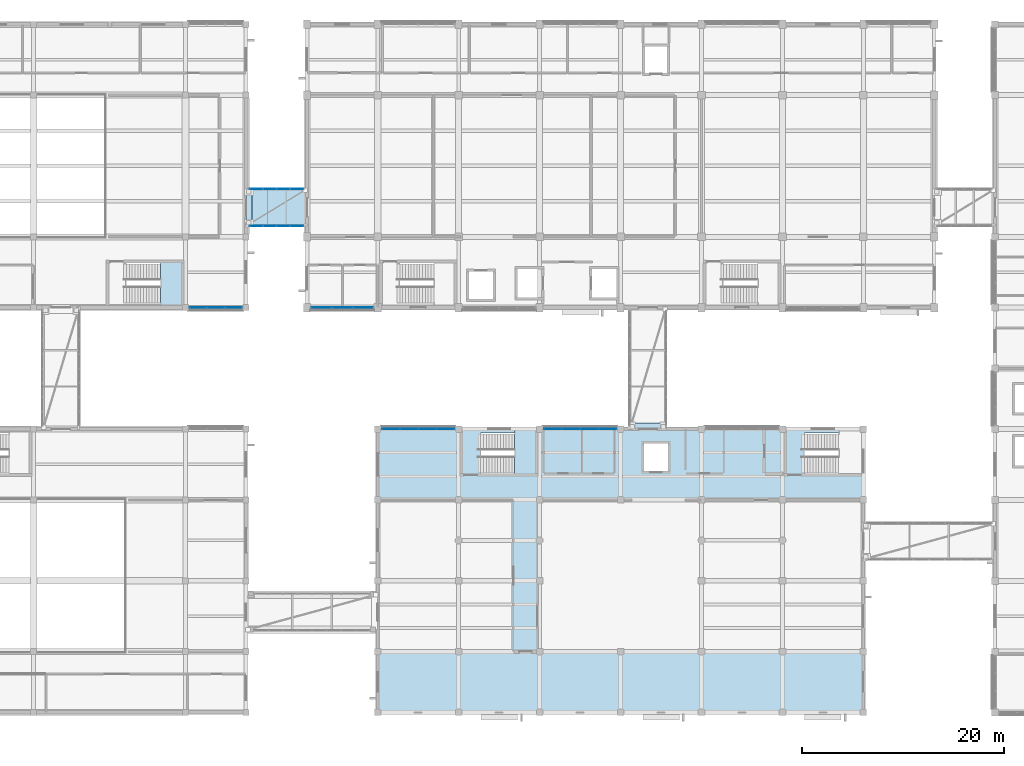
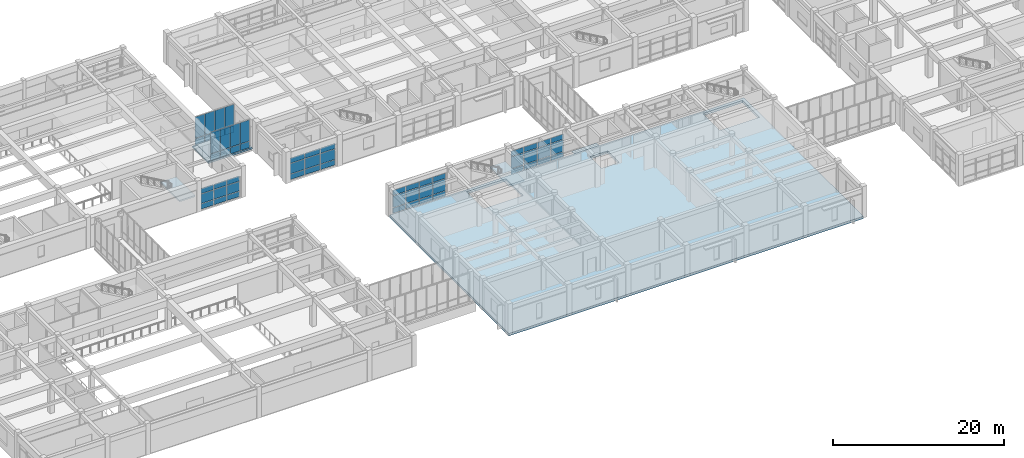
# One storey, part 39 of 72: 60 plates, 4 slabs, 8 elements without a shape of their own.
"""IFC4 building model written with IfcOpenShell, lengths in metres."""

from ifc_helpers import new_model, si_unit, direction, frame, origin, origin_2d, place, context, subcontext, project, spatial, polyline, rectangle, outline, extrude, material, layer, layer_set, type_object, element, aggregate, save


model = new_model("IFC4")

# Units and contexts
model_context = context("Model", 3, precision=1e-05, world=origin(), true_north=direction((0.0, 1.0)))
body_context = subcontext(model_context, "Body", "Model", "MODEL_VIEW")
ifc_project = project(units=[si_unit("LENGTHUNIT", "METRE"), si_unit("AREAUNIT", "SQUARE_METRE"), si_unit("VOLUMEUNIT", "CUBIC_METRE"), si_unit("PLANEANGLEUNIT", "RADIAN"), si_unit("MASSUNIT", "GRAM", prefix="KILO")], contexts=[model_context])

# Site, building, storey
site_placement = place(None, origin())
site = spatial("IfcSite", under=ifc_project, at=site_placement, CompositionType="ELEMENT")
building_placement = place(site_placement, origin())
building = spatial("IfcBuilding", under=site, at=building_placement, Name="Naurynzar Civic Courthouse", CompositionType="ELEMENT")
storey_placement = place(building_placement, frame((0.0, 0.0, 9.89990234375)))
storey = spatial("IfcBuildingStorey", under=building, at=storey_placement, Name="L03", CompositionType="ELEMENT", Elevation=9.89990234375)

# Curtain wall, plates
ifc_material_1 = material(Name="Aluminium 6063-T6", Category="aluminium")
ifc_layer_1 = layer(ifc_material_1, 0.14990234375)
ifc_layer_set_1 = layer_set([ifc_layer_1], Name="CW-BRIDGE-1500")
curtain_wall_type_1 = type_object("IfcCurtainWallType", Name="CW-BRIDGE-1500", PredefinedType="USERDEFINED", material=ifc_layer_set_1)
curtain_wall_1_placement = place(storey_placement, origin())
curtain_wall_1 = element("IfcCurtainWall", 1, at=curtain_wall_1_placement, inside=storey, type_object=curtain_wall_type_1, Name="BR-N1 glazed bridge screen L03.1", ObjectType="GLAZED BRIDGE SCREEN", PredefinedType="USERDEFINED")
ifc_material_2 = material(Name="Tempered Laminated Low-E Glass", Category="glass")
ifc_layer_2 = layer(ifc_material_2, 0.031982421875)
ifc_layer_set_2 = layer_set([ifc_layer_2], Name="CWP-IGU-32")
plate_type_1 = type_object("IfcPlateType", Name="CWP-IGU-32", PredefinedType="CURTAIN_PANEL", material=ifc_layer_set_2)
plate_1_placement = place(storey_placement, frame((56.989990234375, 52.080078125, 0.06005859375), z_axis=(0.0, 0.0, 1.0), x_axis=(1.0, 0.0, 0.0)))
plate_1 = element("IfcPlate", 2, at=plate_1_placement, type_object=plate_type_1, Name="CW-03 panel 1.1", PredefinedType="CURTAIN_PANEL", context=body_context, shape_type="SweptSolid", body=[
    extrude(rectangle(XDim=1.260009765625, YDim=0.031982421875, at=origin_2d()), origin(), (0.0, 0.0, 1.0), 0.909912109375),
])
plate_2_placement = place(storey_placement, frame((56.989990234375, 52.080078125, 1.0302734375), z_axis=(0.0, 0.0, 1.0), x_axis=(1.0, 0.0, 0.0)))
plate_2 = element("IfcPlate", 3, at=plate_2_placement, type_object=plate_type_1, Name="CW-03 panel 1.2", PredefinedType="CURTAIN_PANEL", context=body_context, shape_type="SweptSolid", body=[
    extrude(rectangle(XDim=1.260009765625, YDim=0.031982421875, at=origin_2d()), origin(), (0.0, 0.0, 1.0), 3.030029296875),
])
plate_3_placement = place(storey_placement, frame((58.324951171875, 52.080078125, 0.06005859375), z_axis=(0.0, 0.0, 1.0), x_axis=(1.0, 0.0, 0.0)))
plate_3 = element("IfcPlate", 4, at=plate_3_placement, type_object=plate_type_1, Name="CW-03 panel 2.1", PredefinedType="CURTAIN_PANEL", context=body_context, shape_type="SweptSolid", body=[
    extrude(rectangle(XDim=1.2900390625, YDim=0.031982421875, at=origin_2d()), origin(), (0.0, 0.0, 1.0), 0.909912109375),
])
plate_4_placement = place(storey_placement, frame((58.324951171875, 52.080078125, 1.0302734375), z_axis=(0.0, 0.0, 1.0), x_axis=(1.0, 0.0, 0.0)))
plate_4 = element("IfcPlate", 5, at=plate_4_placement, type_object=plate_type_1, Name="CW-03 panel 2.2", PredefinedType="CURTAIN_PANEL", context=body_context, shape_type="SweptSolid", body=[
    extrude(rectangle(XDim=1.2900390625, YDim=0.031982421875, at=origin_2d()), origin(), (0.0, 0.0, 1.0), 3.030029296875),
])
plate_5_placement = place(storey_placement, frame((59.675048828125, 52.080078125, 0.06005859375), z_axis=(0.0, 0.0, 1.0), x_axis=(1.0, 0.0, 0.0)))
plate_5 = element("IfcPlate", 6, at=plate_5_placement, type_object=plate_type_1, Name="CW-03 panel 3.1", PredefinedType="CURTAIN_PANEL", context=body_context, shape_type="SweptSolid", body=[
    extrude(rectangle(XDim=1.2900390625, YDim=0.031982421875, at=origin_2d()), origin(), (0.0, 0.0, 1.0), 0.909912109375),
])
plate_6_placement = place(storey_placement, frame((59.675048828125, 52.080078125, 1.0302734375), z_axis=(0.0, 0.0, 1.0), x_axis=(1.0, 0.0, 0.0)))
plate_6 = element("IfcPlate", 7, at=plate_6_placement, type_object=plate_type_1, Name="CW-03 panel 3.2", PredefinedType="CURTAIN_PANEL", context=body_context, shape_type="SweptSolid", body=[
    extrude(rectangle(XDim=1.2900390625, YDim=0.031982421875, at=origin_2d()), origin(), (0.0, 0.0, 1.0), 3.030029296875),
])
plate_7_placement = place(storey_placement, frame((61.010009765625, 52.080078125, 0.06005859375), z_axis=(0.0, 0.0, 1.0), x_axis=(1.0, 0.0, 0.0)))
plate_7 = element("IfcPlate", 8, at=plate_7_placement, type_object=plate_type_1, Name="CW-03 panel 4.1", PredefinedType="CURTAIN_PANEL", context=body_context, shape_type="SweptSolid", body=[
    extrude(rectangle(XDim=1.260009765625, YDim=0.031982421875, at=origin_2d()), origin(), (0.0, 0.0, 1.0), 0.909912109375),
])
plate_8_placement = place(storey_placement, frame((61.010009765625, 52.080078125, 1.0302734375), z_axis=(0.0, 0.0, 1.0), x_axis=(1.0, 0.0, 0.0)))
plate_8 = element("IfcPlate", 9, at=plate_8_placement, type_object=plate_type_1, Name="CW-03 panel 4.2", PredefinedType="CURTAIN_PANEL", context=body_context, shape_type="SweptSolid", body=[
    extrude(rectangle(XDim=1.260009765625, YDim=0.031982421875, at=origin_2d()), origin(), (0.0, 0.0, 1.0), 3.030029296875),
])
aggregate(curtain_wall_1, [plate_1, plate_2, plate_3, plate_4, plate_5, plate_6, plate_7, plate_8])

curtain_wall_2_placement = place(storey_placement, origin())
curtain_wall_2 = element("IfcCurtainWall", 10, at=curtain_wall_2_placement, inside=storey, type_object=curtain_wall_type_1, Name="BR-N1 glazed bridge screen L03.2", ObjectType="GLAZED BRIDGE SCREEN", PredefinedType="USERDEFINED")
plate_9_placement = place(storey_placement, frame((61.010009765625, 55.719970703125, 0.06005859375), z_axis=(0.0, 0.0, 1.0), x_axis=(-1.0, 0.0, 0.0)))
plate_9 = element("IfcPlate", 11, at=plate_9_placement, type_object=plate_type_1, Name="CW-03 panel 1.1", PredefinedType="CURTAIN_PANEL", context=body_context, shape_type="SweptSolid", body=[
    extrude(rectangle(XDim=1.260009765625, YDim=0.031982421875, at=origin_2d()), origin(), (0.0, 0.0, 1.0), 0.909912109375),
])
plate_10_placement = place(storey_placement, frame((61.010009765625, 55.719970703125, 1.0302734375), z_axis=(0.0, 0.0, 1.0), x_axis=(-1.0, 0.0, 0.0)))
plate_10 = element("IfcPlate", 12, at=plate_10_placement, type_object=plate_type_1, Name="CW-03 panel 1.2", PredefinedType="CURTAIN_PANEL", context=body_context, shape_type="SweptSolid", body=[
    extrude(rectangle(XDim=1.260009765625, YDim=0.031982421875, at=origin_2d()), origin(), (0.0, 0.0, 1.0), 3.030029296875),
])
plate_11_placement = place(storey_placement, frame((59.675048828125, 55.719970703125, 0.06005859375), z_axis=(0.0, 0.0, 1.0), x_axis=(-1.0, 0.0, 0.0)))
plate_11 = element("IfcPlate", 13, at=plate_11_placement, type_object=plate_type_1, Name="CW-03 panel 2.1", PredefinedType="CURTAIN_PANEL", context=body_context, shape_type="SweptSolid", body=[
    extrude(rectangle(XDim=1.2900390625, YDim=0.031982421875, at=origin_2d()), origin(), (0.0, 0.0, 1.0), 0.909912109375),
])
plate_12_placement = place(storey_placement, frame((59.675048828125, 55.719970703125, 1.0302734375), z_axis=(0.0, 0.0, 1.0), x_axis=(-1.0, 0.0, 0.0)))
plate_12 = element("IfcPlate", 14, at=plate_12_placement, type_object=plate_type_1, Name="CW-03 panel 2.2", PredefinedType="CURTAIN_PANEL", context=body_context, shape_type="SweptSolid", body=[
    extrude(rectangle(XDim=1.2900390625, YDim=0.031982421875, at=origin_2d()), origin(), (0.0, 0.0, 1.0), 3.030029296875),
])
plate_13_placement = place(storey_placement, frame((58.324951171875, 55.719970703125, 0.06005859375), z_axis=(0.0, 0.0, 1.0), x_axis=(-1.0, 0.0, 0.0)))
plate_13 = element("IfcPlate", 15, at=plate_13_placement, type_object=plate_type_1, Name="CW-03 panel 3.1", PredefinedType="CURTAIN_PANEL", context=body_context, shape_type="SweptSolid", body=[
    extrude(rectangle(XDim=1.2900390625, YDim=0.031982421875, at=origin_2d()), origin(), (0.0, 0.0, 1.0), 0.909912109375),
])
plate_14_placement = place(storey_placement, frame((58.324951171875, 55.719970703125, 1.0302734375), z_axis=(0.0, 0.0, 1.0), x_axis=(-1.0, 0.0, 0.0)))
plate_14 = element("IfcPlate", 16, at=plate_14_placement, type_object=plate_type_1, Name="CW-03 panel 3.2", PredefinedType="CURTAIN_PANEL", context=body_context, shape_type="SweptSolid", body=[
    extrude(rectangle(XDim=1.2900390625, YDim=0.031982421875, at=origin_2d()), origin(), (0.0, 0.0, 1.0), 3.030029296875),
])
plate_15_placement = place(storey_placement, frame((56.989990234375, 55.719970703125, 0.06005859375), z_axis=(0.0, 0.0, 1.0), x_axis=(-1.0, 0.0, 0.0)))
plate_15 = element("IfcPlate", 17, at=plate_15_placement, type_object=plate_type_1, Name="CW-03 panel 4.1", PredefinedType="CURTAIN_PANEL", context=body_context, shape_type="SweptSolid", body=[
    extrude(rectangle(XDim=1.260009765625, YDim=0.031982421875, at=origin_2d()), origin(), (0.0, 0.0, 1.0), 0.909912109375),
])
plate_16_placement = place(storey_placement, frame((56.989990234375, 55.719970703125, 1.0302734375), z_axis=(0.0, 0.0, 1.0), x_axis=(-1.0, 0.0, 0.0)))
plate_16 = element("IfcPlate", 18, at=plate_16_placement, type_object=plate_type_1, Name="CW-03 panel 4.2", PredefinedType="CURTAIN_PANEL", context=body_context, shape_type="SweptSolid", body=[
    extrude(rectangle(XDim=1.260009765625, YDim=0.031982421875, at=origin_2d()), origin(), (0.0, 0.0, 1.0), 3.030029296875),
])
aggregate(curtain_wall_2, [plate_9, plate_10, plate_11, plate_12, plate_13, plate_14, plate_15, plate_16])

ifc_material_3 = material(Name="Aluminium 6063-T6", Category="aluminium")
ifc_layer_3 = layer(ifc_material_3, 0.159912109375)
ifc_layer_set_3 = layer_set([ifc_layer_3], Name="CW-UNIT-1800")
curtain_wall_type_2 = type_object("IfcCurtainWallType", Name="CW-UNIT-1800", PredefinedType="NOTDEFINED", material=ifc_layer_set_3)
curtain_wall_3_placement = place(storey_placement, origin())
curtain_wall_3 = element("IfcCurtainWall", 19, at=curtain_wall_3_placement, inside=storey, type_object=curtain_wall_type_2, Name="V1 unitised curtain wall 11 L03", PredefinedType="NOTDEFINED")
ifc_material_4 = material(Name="Tempered Laminated Low-E Glass", Category="glass")
ifc_layer_4 = layer(ifc_material_4, 0.035888671875)
ifc_layer_set_4 = layer_set([ifc_layer_4], Name="CWP-IGU-36")
plate_type_2 = type_object("IfcPlateType", Name="CWP-IGU-36", PredefinedType="CURTAIN_PANEL", material=ifc_layer_set_4)
plate_17_placement = place(storey_placement, frame((54.749267578125, 44.0, 0.070068359375), z_axis=(0.0, 0.0, 1.0), x_axis=(-1.0, 0.0, 0.0)))
plate_17 = element("IfcPlate", 20, at=plate_17_placement, type_object=plate_type_2, Name="CW-02 panel 1.1", PredefinedType="CURTAIN_PANEL", context=body_context, shape_type="SweptSolid", body=[
    extrude(rectangle(XDim=1.66162109375, YDim=0.035888671875, at=origin_2d()), origin(), (0.0, 0.0, 1.0), 0.7451171875),
])
plate_18_placement = place(storey_placement, frame((54.749267578125, 44.0, 0.88525390625), z_axis=(0.0, 0.0, 1.0), x_axis=(-1.0, 0.0, 0.0)))
plate_18 = element("IfcPlate", 21, at=plate_18_placement, type_object=plate_type_2, Name="CW-02 panel 1.2", PredefinedType="CURTAIN_PANEL", context=body_context, shape_type="SweptSolid", body=[
    extrude(rectangle(XDim=1.66162109375, YDim=0.035888671875, at=origin_2d()), origin(), (0.0, 0.0, 1.0), 1.340087890625),
])
plate_19_placement = place(storey_placement, frame((54.749267578125, 44.0, 2.294921875), z_axis=(0.0, 0.0, 1.0), x_axis=(-1.0, 0.0, 0.0)))
plate_19 = element("IfcPlate", 22, at=plate_19_placement, type_object=plate_type_2, Name="CW-02 panel 1.3", PredefinedType="CURTAIN_PANEL", context=body_context, shape_type="SweptSolid", body=[
    extrude(rectangle(XDim=1.66162109375, YDim=0.035888671875, at=origin_2d()), origin(), (0.0, 0.0, 1.0), 0.7451171875),
])
plate_20_placement = place(storey_placement, frame((53.0, 44.0, 0.070068359375), z_axis=(0.0, 0.0, 1.0), x_axis=(-1.0, 0.0, 0.0)))
plate_20 = element("IfcPlate", 23, at=plate_20_placement, type_object=plate_type_2, Name="CW-02 panel 2.1", PredefinedType="CURTAIN_PANEL", context=body_context, shape_type="SweptSolid", body=[
    extrude(rectangle(XDim=1.69677734375, YDim=0.035888671875, at=origin_2d()), origin(), (0.0, 0.0, 1.0), 0.7451171875),
])
plate_21_placement = place(storey_placement, frame((53.0, 44.0, 0.88525390625), z_axis=(0.0, 0.0, 1.0), x_axis=(-1.0, 0.0, 0.0)))
plate_21 = element("IfcPlate", 24, at=plate_21_placement, type_object=plate_type_2, Name="CW-02 panel 2.2", PredefinedType="CURTAIN_PANEL", context=body_context, shape_type="SweptSolid", body=[
    extrude(rectangle(XDim=1.69677734375, YDim=0.035888671875, at=origin_2d()), origin(), (0.0, 0.0, 1.0), 1.340087890625),
])
plate_22_placement = place(storey_placement, frame((53.0, 44.0, 2.294921875), z_axis=(0.0, 0.0, 1.0), x_axis=(-1.0, 0.0, 0.0)))
plate_22 = element("IfcPlate", 25, at=plate_22_placement, type_object=plate_type_2, Name="CW-02 panel 2.3", PredefinedType="CURTAIN_PANEL", context=body_context, shape_type="SweptSolid", body=[
    extrude(rectangle(XDim=1.69677734375, YDim=0.035888671875, at=origin_2d()), origin(), (0.0, 0.0, 1.0), 0.7451171875),
])
plate_23_placement = place(storey_placement, frame((51.250732421875, 44.0, 0.070068359375), z_axis=(0.0, 0.0, 1.0), x_axis=(-1.0, 0.0, 0.0)))
plate_23 = element("IfcPlate", 26, at=plate_23_placement, type_object=plate_type_2, Name="CW-02 panel 3.1", PredefinedType="CURTAIN_PANEL", context=body_context, shape_type="SweptSolid", body=[
    extrude(rectangle(XDim=1.66162109375, YDim=0.035888671875, at=origin_2d()), origin(), (0.0, 0.0, 1.0), 0.7451171875),
])
plate_24_placement = place(storey_placement, frame((51.250732421875, 44.0, 0.88525390625), z_axis=(0.0, 0.0, 1.0), x_axis=(-1.0, 0.0, 0.0)))
plate_24 = element("IfcPlate", 27, at=plate_24_placement, type_object=plate_type_2, Name="CW-02 panel 3.2", PredefinedType="CURTAIN_PANEL", context=body_context, shape_type="SweptSolid", body=[
    extrude(rectangle(XDim=1.66162109375, YDim=0.035888671875, at=origin_2d()), origin(), (0.0, 0.0, 1.0), 1.340087890625),
])
plate_25_placement = place(storey_placement, frame((51.250732421875, 44.0, 2.294921875), z_axis=(0.0, 0.0, 1.0), x_axis=(-1.0, 0.0, 0.0)))
plate_25 = element("IfcPlate", 28, at=plate_25_placement, type_object=plate_type_2, Name="CW-02 panel 3.3", PredefinedType="CURTAIN_PANEL", context=body_context, shape_type="SweptSolid", body=[
    extrude(rectangle(XDim=1.66162109375, YDim=0.035888671875, at=origin_2d()), origin(), (0.0, 0.0, 1.0), 0.7451171875),
])
aggregate(curtain_wall_3, [plate_17, plate_18, plate_19, plate_20, plate_21, plate_22, plate_23, plate_24, plate_25])

curtain_wall_4_placement = place(storey_placement, origin())
curtain_wall_4 = element("IfcCurtainWall", 29, at=curtain_wall_4_placement, inside=storey, type_object=curtain_wall_type_2, Name="V2 unitised curtain wall 30 L03", PredefinedType="NOTDEFINED")
plate_26_placement = place(storey_placement, frame((67.549072265625, 44.0, 0.070068359375), z_axis=(0.0, 0.0, 1.0), x_axis=(-1.0, 0.0, 0.0)))
plate_26 = element("IfcPlate", 30, at=plate_26_placement, type_object=plate_type_2, Name="CW-02 panel 1.1", PredefinedType="CURTAIN_PANEL", context=body_context, shape_type="SweptSolid", body=[
    extrude(rectangle(XDim=1.961669921875, YDim=0.035888671875, at=origin_2d()), origin(), (0.0, 0.0, 1.0), 0.7451171875),
])
plate_27_placement = place(storey_placement, frame((67.549072265625, 44.0, 0.885009765625), z_axis=(0.0, 0.0, 1.0), x_axis=(-1.0, 0.0, 0.0)))
plate_27 = element("IfcPlate", 31, at=plate_27_placement, type_object=plate_type_2, Name="CW-02 panel 1.2", PredefinedType="CURTAIN_PANEL", context=body_context, shape_type="SweptSolid", body=[
    extrude(rectangle(XDim=1.961669921875, YDim=0.035888671875, at=origin_2d()), origin(), (0.0, 0.0, 1.0), 1.4599609375),
])
plate_28_placement = place(storey_placement, frame((67.549072265625, 44.0, 2.4150390625), z_axis=(0.0, 0.0, 1.0), x_axis=(-1.0, 0.0, 0.0)))
plate_28 = element("IfcPlate", 32, at=plate_28_placement, type_object=plate_type_2, Name="CW-02 panel 1.3", PredefinedType="CURTAIN_PANEL", context=body_context, shape_type="SweptSolid", body=[
    extrude(rectangle(XDim=1.961669921875, YDim=0.035888671875, at=origin_2d()), origin(), (0.0, 0.0, 1.0), 0.7451171875),
])
plate_29_placement = place(storey_placement, frame((65.5, 44.0, 0.070068359375), z_axis=(0.0, 0.0, 1.0), x_axis=(-1.0, 0.0, 0.0)))
plate_29 = element("IfcPlate", 33, at=plate_29_placement, type_object=plate_type_2, Name="CW-02 panel 2.1", PredefinedType="CURTAIN_PANEL", context=body_context, shape_type="SweptSolid", body=[
    extrude(rectangle(XDim=1.99658203125, YDim=0.035888671875, at=origin_2d()), origin(), (0.0, 0.0, 1.0), 0.7451171875),
])
plate_30_placement = place(storey_placement, frame((65.5, 44.0, 0.885009765625), z_axis=(0.0, 0.0, 1.0), x_axis=(-1.0, 0.0, 0.0)))
plate_30 = element("IfcPlate", 34, at=plate_30_placement, type_object=plate_type_2, Name="CW-02 panel 2.2", PredefinedType="CURTAIN_PANEL", context=body_context, shape_type="SweptSolid", body=[
    extrude(rectangle(XDim=1.99658203125, YDim=0.035888671875, at=origin_2d()), origin(), (0.0, 0.0, 1.0), 1.4599609375),
])
plate_31_placement = place(storey_placement, frame((65.5, 44.0, 2.4150390625), z_axis=(0.0, 0.0, 1.0), x_axis=(-1.0, 0.0, 0.0)))
plate_31 = element("IfcPlate", 35, at=plate_31_placement, type_object=plate_type_2, Name="CW-02 panel 2.3", PredefinedType="CURTAIN_PANEL", context=body_context, shape_type="SweptSolid", body=[
    extrude(rectangle(XDim=1.99658203125, YDim=0.035888671875, at=origin_2d()), origin(), (0.0, 0.0, 1.0), 0.7451171875),
])
plate_32_placement = place(storey_placement, frame((63.450927734375, 44.0, 0.070068359375), z_axis=(0.0, 0.0, 1.0), x_axis=(-1.0, 0.0, 0.0)))
plate_32 = element("IfcPlate", 36, at=plate_32_placement, type_object=plate_type_2, Name="CW-02 panel 3.1", PredefinedType="CURTAIN_PANEL", context=body_context, shape_type="SweptSolid", body=[
    extrude(rectangle(XDim=1.961669921875, YDim=0.035888671875, at=origin_2d()), origin(), (0.0, 0.0, 1.0), 0.7451171875),
])
plate_33_placement = place(storey_placement, frame((63.450927734375, 44.0, 0.885009765625), z_axis=(0.0, 0.0, 1.0), x_axis=(-1.0, 0.0, 0.0)))
plate_33 = element("IfcPlate", 37, at=plate_33_placement, type_object=plate_type_2, Name="CW-02 panel 3.2", PredefinedType="CURTAIN_PANEL", context=body_context, shape_type="SweptSolid", body=[
    extrude(rectangle(XDim=1.961669921875, YDim=0.035888671875, at=origin_2d()), origin(), (0.0, 0.0, 1.0), 1.4599609375),
])
plate_34_placement = place(storey_placement, frame((63.450927734375, 44.0, 2.4150390625), z_axis=(0.0, 0.0, 1.0), x_axis=(-1.0, 0.0, 0.0)))
plate_34 = element("IfcPlate", 38, at=plate_34_placement, type_object=plate_type_2, Name="CW-02 panel 3.3", PredefinedType="CURTAIN_PANEL", context=body_context, shape_type="SweptSolid", body=[
    extrude(rectangle(XDim=1.961669921875, YDim=0.035888671875, at=origin_2d()), origin(), (0.0, 0.0, 1.0), 0.7451171875),
])
aggregate(curtain_wall_4, [plate_26, plate_27, plate_28, plate_29, plate_30, plate_31, plate_32, plate_33, plate_34])

curtain_wall_5_placement = place(storey_placement, origin())
curtain_wall_5 = element("IfcCurtainWall", 39, at=curtain_wall_5_placement, inside=storey, type_object=curtain_wall_type_2, Name="V3 unitised curtain wall 67 L03", PredefinedType="NOTDEFINED")
plate_35_placement = place(storey_placement, frame((70.298828125, 32.0, 0.070068359375), z_axis=(0.0, 0.0, 1.0), x_axis=(1.0, 0.0, 0.0)))
plate_35 = element("IfcPlate", 40, at=plate_35_placement, type_object=plate_type_2, Name="CW-02 panel 1.1", PredefinedType="CURTAIN_PANEL", context=body_context, shape_type="SweptSolid", body=[
    extrude(rectangle(XDim=1.70751953125, YDim=0.035888671875, at=origin_2d()), origin(), (0.0, 0.0, 1.0), 0.7451171875),
])
plate_36_placement = place(storey_placement, frame((70.298828125, 32.0, 0.88525390625), z_axis=(0.0, 0.0, 1.0), x_axis=(1.0, 0.0, 0.0)))
plate_36 = element("IfcPlate", 41, at=plate_36_placement, type_object=plate_type_2, Name="CW-02 panel 1.2", PredefinedType="CURTAIN_PANEL", context=body_context, shape_type="SweptSolid", body=[
    extrude(rectangle(XDim=1.70751953125, YDim=0.035888671875, at=origin_2d()), origin(), (0.0, 0.0, 1.0), 1.669921875),
])
plate_37_placement = place(storey_placement, frame((70.298828125, 32.0, 2.625), z_axis=(0.0, 0.0, 1.0), x_axis=(1.0, 0.0, 0.0)))
plate_37 = element("IfcPlate", 42, at=plate_37_placement, type_object=plate_type_2, Name="CW-02 panel 1.3", PredefinedType="CURTAIN_PANEL", context=body_context, shape_type="SweptSolid", body=[
    extrude(rectangle(XDim=1.70751953125, YDim=0.035888671875, at=origin_2d()), origin(), (0.0, 0.0, 1.0), 0.7451171875),
])
plate_38_placement = place(storey_placement, frame((72.09375, 32.0, 0.070068359375), z_axis=(0.0, 0.0, 1.0), x_axis=(1.0, 0.0, 0.0)))
plate_38 = element("IfcPlate", 43, at=plate_38_placement, type_object=plate_type_2, Name="CW-02 panel 2.1", PredefinedType="CURTAIN_PANEL", context=body_context, shape_type="SweptSolid", body=[
    extrude(rectangle(XDim=1.742431640625, YDim=0.035888671875, at=origin_2d()), origin(), (0.0, 0.0, 1.0), 0.7451171875),
])
plate_39_placement = place(storey_placement, frame((72.09375, 32.0, 0.88525390625), z_axis=(0.0, 0.0, 1.0), x_axis=(1.0, 0.0, 0.0)))
plate_39 = element("IfcPlate", 44, at=plate_39_placement, type_object=plate_type_2, Name="CW-02 panel 2.2", PredefinedType="CURTAIN_PANEL", context=body_context, shape_type="SweptSolid", body=[
    extrude(rectangle(XDim=1.742431640625, YDim=0.035888671875, at=origin_2d()), origin(), (0.0, 0.0, 1.0), 1.669921875),
])
plate_40_placement = place(storey_placement, frame((72.09375, 32.0, 2.625), z_axis=(0.0, 0.0, 1.0), x_axis=(1.0, 0.0, 0.0)))
plate_40 = element("IfcPlate", 45, at=plate_40_placement, type_object=plate_type_2, Name="CW-02 panel 2.3", PredefinedType="CURTAIN_PANEL", context=body_context, shape_type="SweptSolid", body=[
    extrude(rectangle(XDim=1.742431640625, YDim=0.035888671875, at=origin_2d()), origin(), (0.0, 0.0, 1.0), 0.7451171875),
])
plate_41_placement = place(storey_placement, frame((73.90625, 32.0, 0.070068359375), z_axis=(0.0, 0.0, 1.0), x_axis=(1.0, 0.0, 0.0)))
plate_41 = element("IfcPlate", 46, at=plate_41_placement, type_object=plate_type_2, Name="CW-02 panel 3.1", PredefinedType="CURTAIN_PANEL", context=body_context, shape_type="SweptSolid", body=[
    extrude(rectangle(XDim=1.742431640625, YDim=0.035888671875, at=origin_2d()), origin(), (0.0, 0.0, 1.0), 0.7451171875),
])
plate_42_placement = place(storey_placement, frame((73.90625, 32.0, 0.88525390625), z_axis=(0.0, 0.0, 1.0), x_axis=(1.0, 0.0, 0.0)))
plate_42 = element("IfcPlate", 47, at=plate_42_placement, type_object=plate_type_2, Name="CW-02 panel 3.2", PredefinedType="CURTAIN_PANEL", context=body_context, shape_type="SweptSolid", body=[
    extrude(rectangle(XDim=1.742431640625, YDim=0.035888671875, at=origin_2d()), origin(), (0.0, 0.0, 1.0), 1.669921875),
])
plate_43_placement = place(storey_placement, frame((73.90625, 32.0, 2.625), z_axis=(0.0, 0.0, 1.0), x_axis=(1.0, 0.0, 0.0)))
plate_43 = element("IfcPlate", 48, at=plate_43_placement, type_object=plate_type_2, Name="CW-02 panel 3.3", PredefinedType="CURTAIN_PANEL", context=body_context, shape_type="SweptSolid", body=[
    extrude(rectangle(XDim=1.742431640625, YDim=0.035888671875, at=origin_2d()), origin(), (0.0, 0.0, 1.0), 0.7451171875),
])
plate_44_placement = place(storey_placement, frame((75.701171875, 32.0, 0.070068359375), z_axis=(0.0, 0.0, 1.0), x_axis=(1.0, 0.0, 0.0)))
plate_44 = element("IfcPlate", 49, at=plate_44_placement, type_object=plate_type_2, Name="CW-02 panel 4.1", PredefinedType="CURTAIN_PANEL", context=body_context, shape_type="SweptSolid", body=[
    extrude(rectangle(XDim=1.70751953125, YDim=0.035888671875, at=origin_2d()), origin(), (0.0, 0.0, 1.0), 0.7451171875),
])
plate_45_placement = place(storey_placement, frame((75.701171875, 32.0, 0.88525390625), z_axis=(0.0, 0.0, 1.0), x_axis=(1.0, 0.0, 0.0)))
plate_45 = element("IfcPlate", 50, at=plate_45_placement, type_object=plate_type_2, Name="CW-02 panel 4.2", PredefinedType="CURTAIN_PANEL", context=body_context, shape_type="SweptSolid", body=[
    extrude(rectangle(XDim=1.70751953125, YDim=0.035888671875, at=origin_2d()), origin(), (0.0, 0.0, 1.0), 1.669921875),
])
plate_46_placement = place(storey_placement, frame((75.701171875, 32.0, 2.625), z_axis=(0.0, 0.0, 1.0), x_axis=(1.0, 0.0, 0.0)))
plate_46 = element("IfcPlate", 51, at=plate_46_placement, type_object=plate_type_2, Name="CW-02 panel 4.3", PredefinedType="CURTAIN_PANEL", context=body_context, shape_type="SweptSolid", body=[
    extrude(rectangle(XDim=1.70751953125, YDim=0.035888671875, at=origin_2d()), origin(), (0.0, 0.0, 1.0), 0.7451171875),
])
aggregate(curtain_wall_5, [plate_35, plate_36, plate_37, plate_38, plate_39, plate_40, plate_41, plate_42, plate_43, plate_44, plate_45, plate_46])

curtain_wall_6_placement = place(storey_placement, origin())
curtain_wall_6 = element("IfcCurtainWall", 52, at=curtain_wall_6_placement, inside=storey, type_object=curtain_wall_type_2, Name="V3 unitised curtain wall 68 L03", PredefinedType="NOTDEFINED")
plate_47_placement = place(storey_placement, frame((86.298828125, 32.0, 0.070068359375), z_axis=(0.0, 0.0, 1.0), x_axis=(1.0, 0.0, 0.0)))
plate_47 = element("IfcPlate", 53, at=plate_47_placement, type_object=plate_type_2, Name="CW-02 panel 1.1", PredefinedType="CURTAIN_PANEL", context=body_context, shape_type="SweptSolid", body=[
    extrude(rectangle(XDim=1.70751953125, YDim=0.035888671875, at=origin_2d()), origin(), (0.0, 0.0, 1.0), 0.7451171875),
])
plate_48_placement = place(storey_placement, frame((86.298828125, 32.0, 0.88525390625), z_axis=(0.0, 0.0, 1.0), x_axis=(1.0, 0.0, 0.0)))
plate_48 = element("IfcPlate", 54, at=plate_48_placement, type_object=plate_type_2, Name="CW-02 panel 1.2", PredefinedType="CURTAIN_PANEL", context=body_context, shape_type="SweptSolid", body=[
    extrude(rectangle(XDim=1.70751953125, YDim=0.035888671875, at=origin_2d()), origin(), (0.0, 0.0, 1.0), 1.669921875),
])
plate_49_placement = place(storey_placement, frame((86.298828125, 32.0, 2.625), z_axis=(0.0, 0.0, 1.0), x_axis=(1.0, 0.0, 0.0)))
plate_49 = element("IfcPlate", 55, at=plate_49_placement, type_object=plate_type_2, Name="CW-02 panel 1.3", PredefinedType="CURTAIN_PANEL", context=body_context, shape_type="SweptSolid", body=[
    extrude(rectangle(XDim=1.70751953125, YDim=0.035888671875, at=origin_2d()), origin(), (0.0, 0.0, 1.0), 0.7451171875),
])
plate_50_placement = place(storey_placement, frame((88.09375, 32.0, 0.070068359375), z_axis=(0.0, 0.0, 1.0), x_axis=(1.0, 0.0, 0.0)))
plate_50 = element("IfcPlate", 56, at=plate_50_placement, type_object=plate_type_2, Name="CW-02 panel 2.1", PredefinedType="CURTAIN_PANEL", context=body_context, shape_type="SweptSolid", body=[
    extrude(rectangle(XDim=1.742431640625, YDim=0.035888671875, at=origin_2d()), origin(), (0.0, 0.0, 1.0), 0.7451171875),
])
plate_51_placement = place(storey_placement, frame((88.09375, 32.0, 0.88525390625), z_axis=(0.0, 0.0, 1.0), x_axis=(1.0, 0.0, 0.0)))
plate_51 = element("IfcPlate", 57, at=plate_51_placement, type_object=plate_type_2, Name="CW-02 panel 2.2", PredefinedType="CURTAIN_PANEL", context=body_context, shape_type="SweptSolid", body=[
    extrude(rectangle(XDim=1.742431640625, YDim=0.035888671875, at=origin_2d()), origin(), (0.0, 0.0, 1.0), 1.669921875),
])
plate_52_placement = place(storey_placement, frame((88.09375, 32.0, 2.625), z_axis=(0.0, 0.0, 1.0), x_axis=(1.0, 0.0, 0.0)))
plate_52 = element("IfcPlate", 58, at=plate_52_placement, type_object=plate_type_2, Name="CW-02 panel 2.3", PredefinedType="CURTAIN_PANEL", context=body_context, shape_type="SweptSolid", body=[
    extrude(rectangle(XDim=1.742431640625, YDim=0.035888671875, at=origin_2d()), origin(), (0.0, 0.0, 1.0), 0.7451171875),
])
plate_53_placement = place(storey_placement, frame((89.90625, 32.0, 0.070068359375), z_axis=(0.0, 0.0, 1.0), x_axis=(1.0, 0.0, 0.0)))
plate_53 = element("IfcPlate", 59, at=plate_53_placement, type_object=plate_type_2, Name="CW-02 panel 3.1", PredefinedType="CURTAIN_PANEL", context=body_context, shape_type="SweptSolid", body=[
    extrude(rectangle(XDim=1.742431640625, YDim=0.035888671875, at=origin_2d()), origin(), (0.0, 0.0, 1.0), 0.7451171875),
])
plate_54_placement = place(storey_placement, frame((89.90625, 32.0, 0.88525390625), z_axis=(0.0, 0.0, 1.0), x_axis=(1.0, 0.0, 0.0)))
plate_54 = element("IfcPlate", 60, at=plate_54_placement, type_object=plate_type_2, Name="CW-02 panel 3.2", PredefinedType="CURTAIN_PANEL", context=body_context, shape_type="SweptSolid", body=[
    extrude(rectangle(XDim=1.742431640625, YDim=0.035888671875, at=origin_2d()), origin(), (0.0, 0.0, 1.0), 1.669921875),
])
plate_55_placement = place(storey_placement, frame((89.90625, 32.0, 2.625), z_axis=(0.0, 0.0, 1.0), x_axis=(1.0, 0.0, 0.0)))
plate_55 = element("IfcPlate", 61, at=plate_55_placement, type_object=plate_type_2, Name="CW-02 panel 3.3", PredefinedType="CURTAIN_PANEL", context=body_context, shape_type="SweptSolid", body=[
    extrude(rectangle(XDim=1.742431640625, YDim=0.035888671875, at=origin_2d()), origin(), (0.0, 0.0, 1.0), 0.7451171875),
])
plate_56_placement = place(storey_placement, frame((91.701171875, 32.0, 0.070068359375), z_axis=(0.0, 0.0, 1.0), x_axis=(1.0, 0.0, 0.0)))
plate_56 = element("IfcPlate", 62, at=plate_56_placement, type_object=plate_type_2, Name="CW-02 panel 4.1", PredefinedType="CURTAIN_PANEL", context=body_context, shape_type="SweptSolid", body=[
    extrude(rectangle(XDim=1.70751953125, YDim=0.035888671875, at=origin_2d()), origin(), (0.0, 0.0, 1.0), 0.7451171875),
])
plate_57_placement = place(storey_placement, frame((91.701171875, 32.0, 0.88525390625), z_axis=(0.0, 0.0, 1.0), x_axis=(1.0, 0.0, 0.0)))
plate_57 = element("IfcPlate", 63, at=plate_57_placement, type_object=plate_type_2, Name="CW-02 panel 4.2", PredefinedType="CURTAIN_PANEL", context=body_context, shape_type="SweptSolid", body=[
    extrude(rectangle(XDim=1.70751953125, YDim=0.035888671875, at=origin_2d()), origin(), (0.0, 0.0, 1.0), 1.669921875),
])
plate_58_placement = place(storey_placement, frame((91.701171875, 32.0, 2.625), z_axis=(0.0, 0.0, 1.0), x_axis=(1.0, 0.0, 0.0)))
plate_58 = element("IfcPlate", 64, at=plate_58_placement, type_object=plate_type_2, Name="CW-02 panel 4.3", PredefinedType="CURTAIN_PANEL", context=body_context, shape_type="SweptSolid", body=[
    extrude(rectangle(XDim=1.70751953125, YDim=0.035888671875, at=origin_2d()), origin(), (0.0, 0.0, 1.0), 0.7451171875),
])
aggregate(curtain_wall_6, [plate_47, plate_48, plate_49, plate_50, plate_51, plate_52, plate_53, plate_54, plate_55, plate_56, plate_57, plate_58])

# Plates
ifc_material_5 = material(Name="Brushed Stainless Steel 304", Category="steel")
ifc_layer_5 = layer(ifc_material_5, 0.011962890625)
ifc_layer_set_5 = layer_set([ifc_layer_5], Name="PLT-SEISMIC-COVER-12")
plate_type_3 = type_object("IfcPlateType", Name="PLT-SEISMIC-COVER-12", PredefinedType="SHEET", material=ifc_layer_set_5)
plate_59_placement = place(storey_placement, frame((56.300048828125, 53.89990234375, 0.0), z_axis=(0.0, 0.0, 1.0), x_axis=(1.0, 0.0, 0.0)))
element("IfcPlate", 65, at=plate_59_placement, inside=storey, type_object=plate_type_3, Name="BR-N1 seismic floor joint cover plate L03", PredefinedType="SHEET", context=body_context, shape_type="SweptSolid", body=[
    extrude(rectangle(XDim=0.60009765625, YDim=3.39990234375, at=origin_2d()), origin(), (0.0, 0.0, 1.0), 0.011962890625),
])
plate_60_placement = place(storey_placement, frame((95.699951171875, 32.300048828125, 0.0), z_axis=(0.0, 0.0, 1.0), x_axis=(1.0, 0.0, 0.0)))
element("IfcPlate", 66, at=plate_60_placement, inside=storey, type_object=plate_type_3, Name="BR-C1 seismic floor joint cover plate L03", PredefinedType="SHEET", context=body_context, shape_type="SweptSolid", body=[
    extrude(rectangle(XDim=3.39990234375, YDim=0.60009765625, at=origin_2d()), origin(), (0.0, 0.0, 1.0), 0.011962890625),
])

# Slab
ifc_material_6 = material(Name="Concrete C35/45", Category="concrete")
ifc_layer_6 = layer(ifc_material_6, 0.239990234375)
ifc_layer_set_6 = layer_set([ifc_layer_6], Name="SLB-BRG-240")
slab_type_1 = type_object("IfcSlabType", Name="SLB-BRG-240", PredefinedType="FLOOR", material=ifc_layer_set_6)
slab_1_placement = place(storey_placement, frame((0.0, 0.0, -0.239990234375)))
element("IfcSlab", 67, at=slab_1_placement, inside=storey, type_object=slab_type_1, Name="North Ceremonial Seismic Link Passage deck slab L03", PredefinedType="FLOOR", context=body_context, shape_type="SweptSolid", body=[
    extrude(outline(polyline([(56.02001953125, 52.02001953125), (61.97998046875, 52.02001953125), (61.97998046875, 55.780029296875), (56.02001953125, 55.780029296875), (56.02001953125, 52.02001953125)])), origin(), (0.0, 0.0, 1.0), 0.239990234375),
])

# Stair, slab
ifc_material_7 = material(Name="Concrete C35/45", Category="concrete")
stair_type = type_object("IfcStairType", Name="STAIR-CORE-1600", PredefinedType="TWO_STRAIGHT_RUN_STAIR", material=ifc_material_7)
stair_1_placement = place(storey_placement, origin())
stair_1 = element("IfcStair", 68, at=stair_1_placement, inside=storey, type_object=stair_type, Name="Enclosed escape stair ST-V1B L03", PredefinedType="TWO_STRAIGHT_RUN_STAIR")
ifc_material_8 = material(Name="Concrete C35/45", Category="concrete")
ifc_layer_7 = layer(ifc_material_8, 0.199951171875)
ifc_layer_set_7 = layer_set([ifc_layer_7], Name="SLB-LAND-200")
slab_type_2 = type_object("IfcSlabType", Name="SLB-LAND-200", PredefinedType="LANDING", material=ifc_layer_set_7)
slab_2_placement = place(storey_placement, frame((0.0, 0.0, 2.050048828125)))
slab_2 = element("IfcSlab", 69, at=slab_2_placement, type_object=slab_type_2, Name="ST-V1B-L03 landing 1", PredefinedType="LANDING", context=body_context, shape_type="SweptSolid", body=[
    extrude(outline(polyline([(47.5400390625, 44.080078125), (49.669921875, 44.080078125), (49.669921875, 48.52001953125), (47.5400390625, 48.52001953125), (47.5400390625, 44.080078125)])), origin(), (0.0, 0.0, 1.0), 0.199951171875),
])
aggregate(stair_1, [slab_2])

stair_2_placement = place(storey_placement, origin())
stair_2 = element("IfcStair", 70, at=stair_2_placement, inside=storey, type_object=stair_type, Name="Enclosed escape stair ST-V3A L03", PredefinedType="TWO_STRAIGHT_RUN_STAIR")
slab_3_placement = place(storey_placement, frame((0.0, 0.0, 2.050048828125)))
slab_3 = element("IfcSlab", 71, at=slab_3_placement, type_object=slab_type_2, Name="ST-V3A-L03 landing 1", PredefinedType="LANDING", context=body_context, shape_type="SweptSolid", body=[
    extrude(outline(polyline([(82.5400390625, 27.47998046875), (84.669921875, 27.47998046875), (84.669921875, 31.919921875), (82.5400390625, 31.919921875), (82.5400390625, 27.47998046875)])), origin(), (0.0, 0.0, 1.0), 0.199951171875),
])
aggregate(stair_2, [slab_3])

# Slab
ifc_material_9 = material(Name="Concrete C35/45", Category="concrete")
ifc_layer_8 = layer(ifc_material_9, 0.340087890625)
ifc_layer_set_8 = layer_set([ifc_layer_8], Name="SLB-STACK-340")
slab_type_3 = type_object("IfcSlabType", Name="SLB-STACK-340", PredefinedType="FLOOR", material=ifc_layer_set_8)
slab_4_placement = place(storey_placement, frame((0.0, 0.0, -0.33984375)))
element("IfcSlab", 72, at=slab_4_placement, inside=storey, type_object=slab_type_3, Name="V3 floor slab L03", PredefinedType="FLOOR", context=body_context, shape_type="SweptSolid", body=[
    extrude(outline(polyline([(117.0, 4.0), (117.0, 32.0), (69.0, 32.0), (69.0, 4.0), (117.0, 4.0)]), holes=[polyline([(79.179931640625, 27.60009765625), (84.550048828125, 27.60009765625), (84.550048828125, 31.60009765625), (79.179931640625, 31.60009765625), (79.179931640625, 27.60009765625)]), polyline([(111.179931640625, 27.60009765625), (116.550048828125, 27.60009765625), (116.550048828125, 31.60009765625), (111.179931640625, 31.60009765625), (111.179931640625, 27.60009765625)]), polyline([(95.300048828125, 27.85009765625), (97.699951171875, 27.85009765625), (97.699951171875, 30.550048828125), (95.300048828125, 30.550048828125), (95.300048828125, 27.85009765625)])]), origin(), (0.0, 0.0, 1.0), 0.33984375),
])

save(model, "model.ifc")
